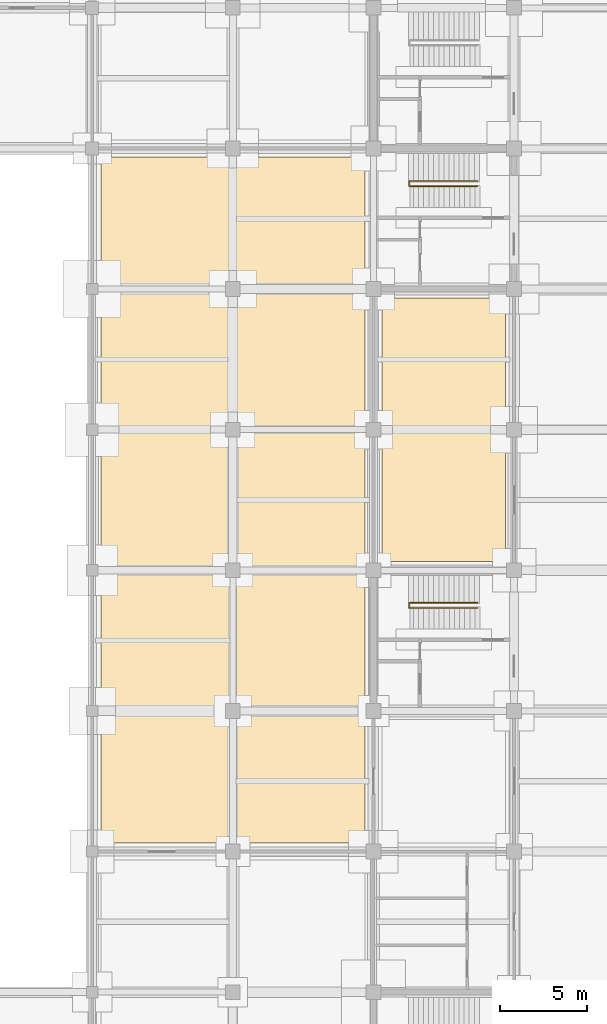
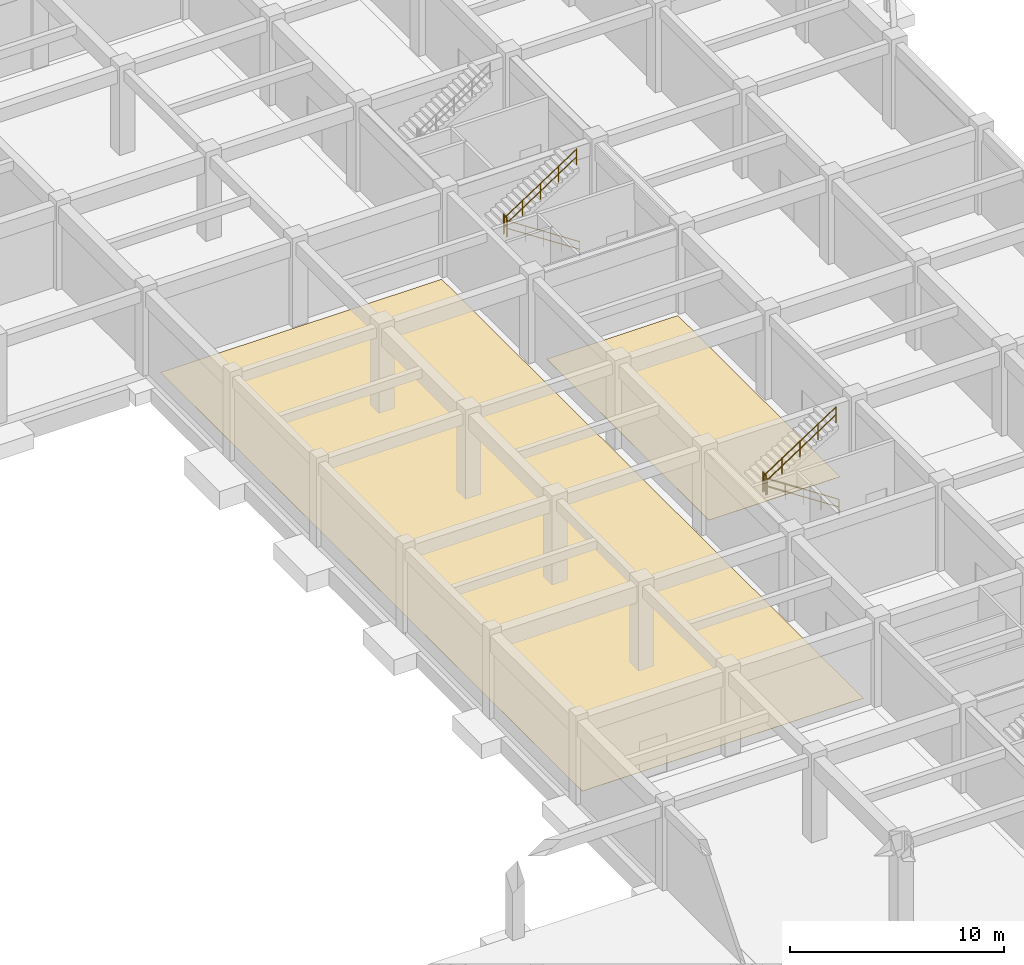
# One storey, part 65 of 67: 6 railings, 2 coverings.
"""IFC4 building model written with IfcOpenShell, lengths in metres."""

from ifc_helpers import new_model, si_unit, direction, frame, origin, origin_2d, place, context, subcontext, project, spatial, polyline, circle, outline, extrude, material, layer, layer_set, type_object, element, save


model = new_model("IFC4")

# Units and contexts
model_context = context("Model", 3, precision=1e-05, world=origin(), true_north=direction((0.0, 1.0)))
body_context = subcontext(model_context, "Body", "Model", "MODEL_VIEW")
ifc_project = project(units=[si_unit("LENGTHUNIT", "METRE"), si_unit("AREAUNIT", "SQUARE_METRE"), si_unit("VOLUMEUNIT", "CUBIC_METRE"), si_unit("PLANEANGLEUNIT", "RADIAN"), si_unit("MASSUNIT", "GRAM", prefix="KILO")], contexts=[model_context])

# Site, building, storey
site_placement = place(None, origin())
site = spatial("IfcSite", under=ifc_project, at=site_placement, CompositionType="ELEMENT")
building_placement = place(site_placement, origin())
building = spatial("IfcBuilding", under=site, at=building_placement, Name="Vaudrelin Polytechnic", CompositionType="ELEMENT")
storey_placement = place(building_placement, frame((0.0, 0.0, -5.10009765625)))
storey = spatial("IfcBuildingStorey", under=building, at=storey_placement, Name="B1", CompositionType="ELEMENT", Elevation=-5.10009765625)

# Coverings
ifc_material_1 = material(Name="Seamless chemical-resistant laboratory epoxy", Category="flooring")
ifc_layer = layer(ifc_material_1, 0.011962890625)
ifc_layer_set = layer_set([ifc_layer], Name="Seamless chemical-resistant laboratory epoxy")
covering_type = type_object("IfcCoveringType", Name="COV-FLR-EPX", PredefinedType="FLOORING", material=ifc_layer_set)
covering_1_placement = place(storey_placement, origin())
element("IfcCovering", 1, at=covering_1_placement, inside=storey, type_object=covering_type, Name="Chemical-resistant flooring B1-021", PredefinedType="FLOORING", context=body_context, shape_type="SweptSolid", body=[
    extrude(outline(polyline([(130.10009765625, 57.199951171875), (145.300048828125, 57.199951171875), (145.300048828125, 96.699951171875), (130.10009765625, 96.699951171875), (130.10009765625, 57.199951171875)])), origin(), (0.0, 0.0, 1.0), 0.01220703125),
])
covering_2_placement = place(storey_placement, origin())
element("IfcCovering", 2, at=covering_2_placement, inside=storey, type_object=covering_type, Name="Chemical-resistant flooring B1-022", PredefinedType="FLOORING", context=body_context, shape_type="SweptSolid", body=[
    extrude(outline(polyline([(146.300048828125, 73.39990234375), (153.39990234375, 73.39990234375), (153.39990234375, 88.60009765625), (146.300048828125, 88.60009765625), (146.300048828125, 73.39990234375)])), origin(), (0.0, 0.0, 1.0), 0.01220703125),
])

# Railings
ifc_material_2 = material(Name="Brushed stainless steel AISI 304", Category="steel")
railing_type_1 = type_object("IfcRailingType", Name="RAL-GR-INT", PredefinedType="GUARDRAIL", material=ifc_material_2)
for number, where, name in (
    (3, (147.85009765625, 70.739990234375, 2.550048828125), "ST-07-B1 landing well guardrail"),
    (4, (147.85009765625, 95.0400390625, 2.550048828125), "ST-13-B1 landing well guardrail"),
):
    element("IfcRailing", number, at=place(storey_placement, frame(where)), inside=storey, type_object=railing_type_1, Name=name, PredefinedType="GUARDRAIL", context=body_context, shape_type="SweptSolid", body=[
        extrude(circle(Radius=0.02392578125, at=origin_2d()), frame((0.0, 0.023193359375, 1.09619140625), z_axis=(0.0, 1.0, 0.0), x_axis=(-1.0, 0.0, 0.0)), (0.0, 0.0, 1.0), 0.23388671875),
        extrude(circle(Radius=0.02392578125, at=origin_2d()), frame((0.0, 0.023193359375, 0.56005859375), z_axis=(0.0, 1.0, 0.0), x_axis=(-1.0, 0.0, 0.0)), (0.0, 0.0, 1.0), 0.23388671875),
        extrude(circle(Radius=0.02099609375, at=origin_2d()), origin(), (0.0, 0.0, 1.0), 1.1201171875),
        extrude(circle(Radius=0.02099609375, at=origin_2d()), frame((0.0, 0.280029296875, 0.0)), (0.0, 0.0, 1.0), 1.1201171875),
    ])
railing_type_2 = type_object("IfcRailingType", Name="RAL-HR-STR", PredefinedType="HANDRAIL", material=ifc_material_2)
railing_1_placement = place(storey_placement, frame((151.800048828125, 70.72998046875, 0.0)))
element("IfcRailing", 5, at=railing_1_placement, inside=storey, type_object=railing_type_2, Name="ST-07-B1 flight 1 handrail", PredefinedType="HANDRAIL", context=body_context, shape_type="SweptSolid", body=[
    extrude(circle(Radius=0.02392578125, at=origin_2d()), frame((-0.019287109375, 0.0, 0.908447265625), z_axis=(-0.836329188974, 0.0, 0.548227587476), x_axis=(0.0, -1.0, 0.0)), (0.0, 0.0, 1.0), 4.605224609375),
    extrude(circle(Radius=0.02392578125, at=origin_2d()), frame((-0.019287109375, 0.0, 0.47265625), z_axis=(-0.836329188974, 0.0, 0.548227587476), x_axis=(0.0, -1.0, 0.0)), (0.0, 0.0, 1.0), 4.605224609375),
    extrude(circle(Radius=0.02099609375, at=origin_2d()), origin(), (0.0, 0.0, 1.0), 0.919921875),
    extrude(circle(Radius=0.02099609375, at=origin_2d()), frame((-0.97265625, 0.0, 0.637451171875)), (0.0, 0.0, 1.0), 0.919921875),
    extrude(circle(Radius=0.02099609375, at=origin_2d()), frame((-1.945068359375, 0.0, 1.27490234375)), (0.0, 0.0, 1.0), 0.919921875),
    extrude(circle(Radius=0.02099609375, at=origin_2d()), frame((-2.91748046875, 0.0, 1.91259765625)), (0.0, 0.0, 1.0), 0.919921875),
    extrude(circle(Radius=0.02099609375, at=origin_2d()), frame((-3.89013671875, 0.0, 2.550048828125)), (0.0, 0.0, 1.0), 0.919921875),
])
railing_2_placement = place(storey_placement, frame((147.909912109375, 71.030029296875, 2.550048828125)))
element("IfcRailing", 6, at=railing_2_placement, inside=storey, type_object=railing_type_2, Name="ST-07-B1 flight 2 handrail", PredefinedType="HANDRAIL", context=body_context, shape_type="SweptSolid", body=[
    extrude(circle(Radius=0.02392578125, at=origin_2d()), frame((0.019287109375, 0.0, 0.908447265625), z_axis=(0.836329188974, 0.0, 0.548227587476), x_axis=(0.0, 1.0, 0.0)), (0.0, 0.0, 1.0), 4.605224609375),
    extrude(circle(Radius=0.02392578125, at=origin_2d()), frame((0.019287109375, 0.0, 0.47265625), z_axis=(0.836329188974, 0.0, 0.548227587476), x_axis=(0.0, 1.0, 0.0)), (0.0, 0.0, 1.0), 4.605224609375),
    extrude(circle(Radius=0.02099609375, at=origin_2d()), origin(), (0.0, 0.0, 1.0), 0.919921875),
    extrude(circle(Radius=0.02099609375, at=origin_2d()), frame((0.97265625, 0.0, 0.637451171875)), (0.0, 0.0, 1.0), 0.919921875),
    extrude(circle(Radius=0.02099609375, at=origin_2d()), frame((1.945068359375, 0.0, 1.27490234375)), (0.0, 0.0, 1.0), 0.919921875),
    extrude(circle(Radius=0.02099609375, at=origin_2d()), frame((2.91748046875, 0.0, 1.91259765625)), (0.0, 0.0, 1.0), 0.919921875),
    extrude(circle(Radius=0.02099609375, at=origin_2d()), frame((3.89013671875, 0.0, 2.550048828125)), (0.0, 0.0, 1.0), 0.919921875),
])
railing_3_placement = place(storey_placement, frame((151.800048828125, 95.030029296875, 0.0)))
element("IfcRailing", 7, at=railing_3_placement, inside=storey, type_object=railing_type_2, Name="ST-13-B1 flight 1 handrail", PredefinedType="HANDRAIL", context=body_context, shape_type="SweptSolid", body=[
    extrude(circle(Radius=0.02392578125, at=origin_2d()), frame((-0.019287109375, 0.0, 0.908447265625), z_axis=(-0.836329188974, 0.0, 0.548227587476), x_axis=(0.0, -1.0, 0.0)), (0.0, 0.0, 1.0), 4.605224609375),
    extrude(circle(Radius=0.02392578125, at=origin_2d()), frame((-0.019287109375, 0.0, 0.47265625), z_axis=(-0.836329188974, 0.0, 0.548227587476), x_axis=(0.0, -1.0, 0.0)), (0.0, 0.0, 1.0), 4.605224609375),
    extrude(circle(Radius=0.02099609375, at=origin_2d()), origin(), (0.0, 0.0, 1.0), 0.919921875),
    extrude(circle(Radius=0.02099609375, at=origin_2d()), frame((-0.97265625, 0.0, 0.637451171875)), (0.0, 0.0, 1.0), 0.919921875),
    extrude(circle(Radius=0.02099609375, at=origin_2d()), frame((-1.945068359375, 0.0, 1.27490234375)), (0.0, 0.0, 1.0), 0.919921875),
    extrude(circle(Radius=0.02099609375, at=origin_2d()), frame((-2.91748046875, 0.0, 1.91259765625)), (0.0, 0.0, 1.0), 0.919921875),
    extrude(circle(Radius=0.02099609375, at=origin_2d()), frame((-3.89013671875, 0.0, 2.550048828125)), (0.0, 0.0, 1.0), 0.919921875),
])
railing_4_placement = place(storey_placement, frame((147.909912109375, 95.330078125, 2.550048828125)))
element("IfcRailing", 8, at=railing_4_placement, inside=storey, type_object=railing_type_2, Name="ST-13-B1 flight 2 handrail", PredefinedType="HANDRAIL", context=body_context, shape_type="SweptSolid", body=[
    extrude(circle(Radius=0.02392578125, at=origin_2d()), frame((0.019287109375, 0.0, 0.908447265625), z_axis=(0.836329188974, 0.0, 0.548227587476), x_axis=(0.0, 1.0, 0.0)), (0.0, 0.0, 1.0), 4.605224609375),
    extrude(circle(Radius=0.02392578125, at=origin_2d()), frame((0.019287109375, 0.0, 0.47265625), z_axis=(0.836329188974, 0.0, 0.548227587476), x_axis=(0.0, 1.0, 0.0)), (0.0, 0.0, 1.0), 4.605224609375),
    extrude(circle(Radius=0.02099609375, at=origin_2d()), origin(), (0.0, 0.0, 1.0), 0.919921875),
    extrude(circle(Radius=0.02099609375, at=origin_2d()), frame((0.97265625, 0.0, 0.637451171875)), (0.0, 0.0, 1.0), 0.919921875),
    extrude(circle(Radius=0.02099609375, at=origin_2d()), frame((1.945068359375, 0.0, 1.27490234375)), (0.0, 0.0, 1.0), 0.919921875),
    extrude(circle(Radius=0.02099609375, at=origin_2d()), frame((2.91748046875, 0.0, 1.91259765625)), (0.0, 0.0, 1.0), 0.919921875),
    extrude(circle(Radius=0.02099609375, at=origin_2d()), frame((3.89013671875, 0.0, 2.550048828125)), (0.0, 0.0, 1.0), 0.919921875),
])

save(model, "model.ifc")
